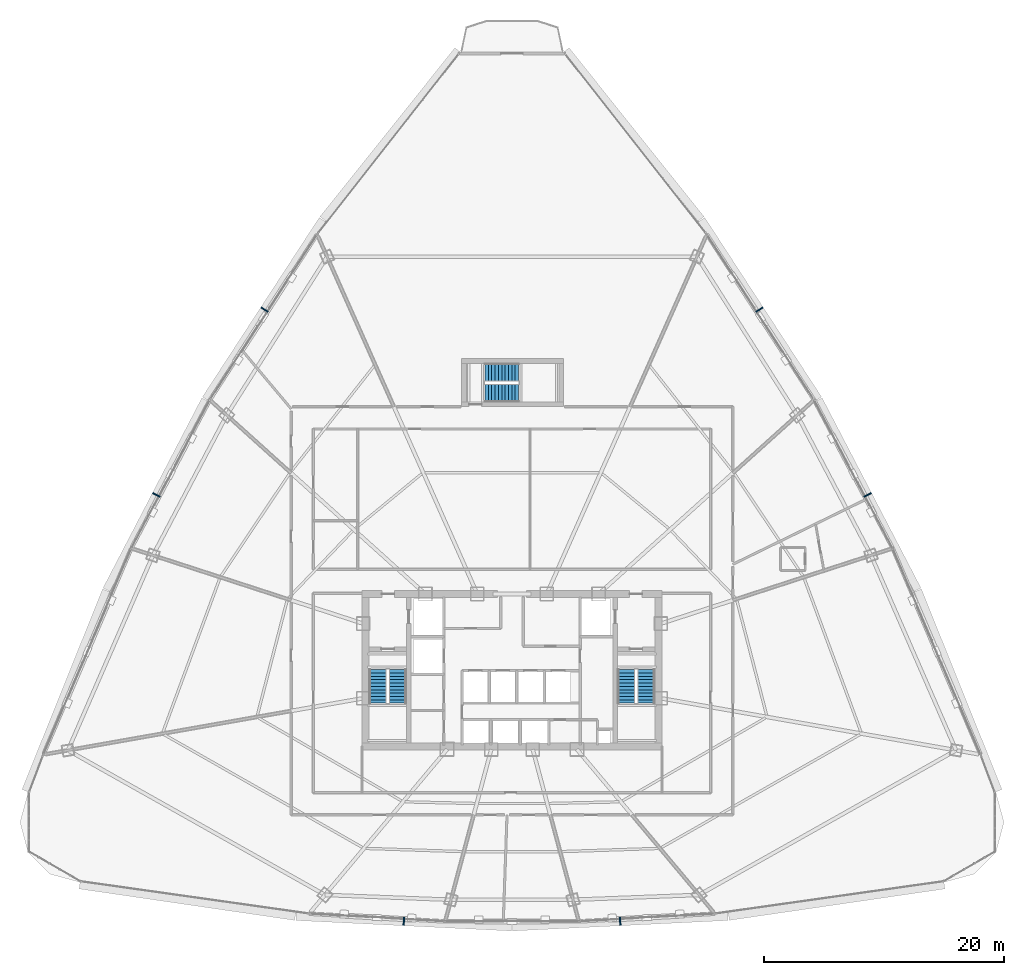
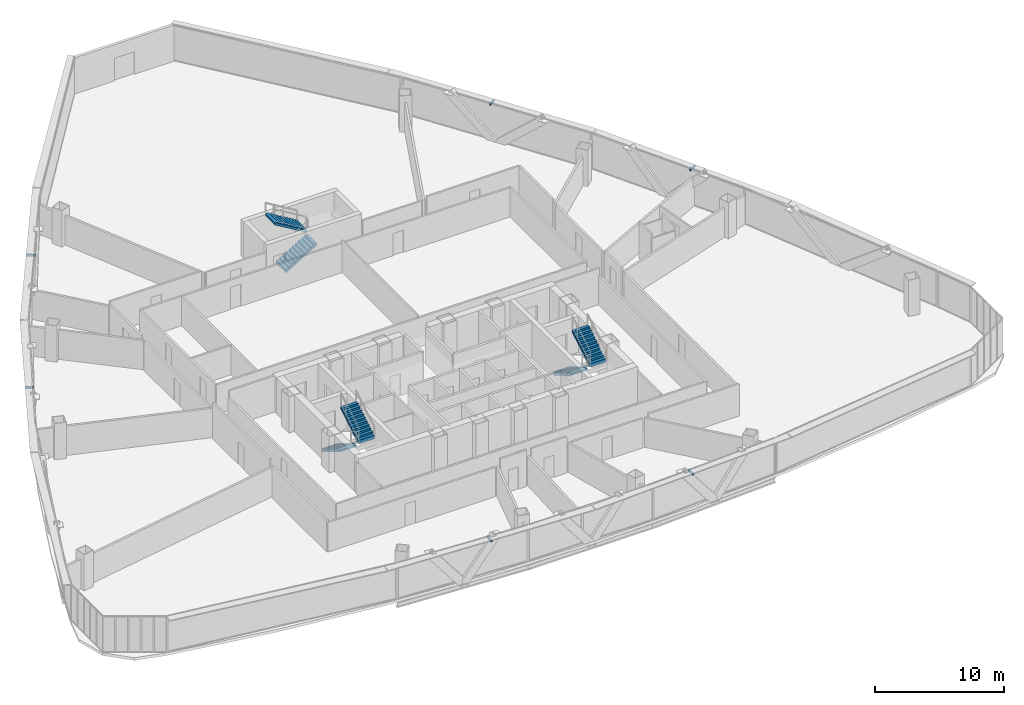
# One storey, part 38 of 42: 6 discrete accessories, 6 stair flights, 3 elements without a shape of their own.
"""IFC4 building model written with IfcOpenShell, lengths in metres."""

from ifc_helpers import new_model, si_unit, direction, frame, origin, origin_2d, place, context, subcontext, project, spatial, polyline, rectangle, outline, extrude, source, transform, mapped, material, type_object, element, aggregate, save


model = new_model("IFC4")

# Units and contexts
model_context = context("Model", 3, precision=1e-05, world=origin(), true_north=direction((0.0, 1.0)))
body_context = subcontext(model_context, "Body", "Model", "MODEL_VIEW")
ifc_project = project(units=[si_unit("LENGTHUNIT", "METRE"), si_unit("AREAUNIT", "SQUARE_METRE"), si_unit("VOLUMEUNIT", "CUBIC_METRE"), si_unit("PLANEANGLEUNIT", "RADIAN"), si_unit("MASSUNIT", "GRAM", prefix="KILO"), si_unit("THERMODYNAMICTEMPERATUREUNIT", "KELVIN"), si_unit("POWERUNIT", "WATT")], contexts=[model_context])

# Site, building, storey
site_placement = place(None, origin())
site = spatial("IfcSite", under=ifc_project, at=site_placement, CompositionType="ELEMENT")
building_placement = place(site_placement, origin())
building = spatial("IfcBuilding", under=site, at=building_placement, Name="Yunzhuo Pagoda Commons", CompositionType="ELEMENT")
storey_placement = place(building_placement, frame((0.0, 0.0, 137.18994140625)))
storey = spatial("IfcBuildingStorey", under=building, at=storey_placement, Name="L34", CompositionType="ELEMENT", Elevation=137.18994140625)

# Stair, stair flights
ifc_material_1 = material(Name="Concrete C40", Category="concrete")
stair_type_1 = type_object("IfcStairType", Name="ST-C1 Core Smokeproof Stair ST1", PredefinedType="HALF_TURN_STAIR", material=ifc_material_1)
stair_1_placement = place(storey_placement, origin())
stair_1 = element("IfcStair", 1, at=stair_1_placement, inside=storey, type_object=stair_type_1, Name="L34 Core smokeproof stair ST1", PredefinedType="HALF_TURN_STAIR")
stair_flight_type_1 = type_object("IfcStairFlightType", Name="STF-C1 Core Stair Flight 1450", PredefinedType="STRAIGHT", material=ifc_material_1)
shared_shape_1 = source(origin(), body_context, "Body", "SweptSolid", [
    extrude(outline(polyline([(0.0, -0.14990234375), (0.0, 0.0), (0.0, 0.167236328125), (0.280029296875, 0.167236328125), (0.280029296875, 0.33447265625), (0.56005859375, 0.33447265625), (0.56005859375, 0.501708984375), (0.840087890625, 0.501708984375), (0.840087890625, 0.669189453125), (1.1201171875, 0.669189453125), (1.1201171875, 0.83642578125), (1.39990234375, 0.83642578125), (1.39990234375, 1.003662109375), (1.679931640625, 1.003662109375), (1.679931640625, 1.1708984375), (1.9599609375, 1.1708984375), (1.9599609375, 1.338134765625), (2.239990234375, 1.338134765625), (2.239990234375, 1.50537109375), (2.52001953125, 1.50537109375), (2.52001953125, 1.672607421875), (2.800048828125, 1.672607421875), (2.800048828125, 1.840087890625), (2.800048828125, 1.498046875), (0.292236328125, 0.0), (0.050048828125, -0.14990234375), (0.0, -0.14990234375)])), frame((0.0, 0.72509765625, 0.0), z_axis=(0.0, -1.0, 0.0), x_axis=(1.0, 0.0, 0.0)), (0.0, 0.0, 1.0), 1.449951171875),
])
stair_flight_1_placement = place(storey_placement, frame((36.824951171875, 33.89990234375, 0.0), z_axis=(0.0, 0.0, 1.0), x_axis=(0.0, -1.0, 0.0)))
stair_flight_1 = element("IfcStairFlight", 2, at=stair_flight_1_placement, type_object=stair_flight_type_1, Name="ST1 flight 1", NumberOfRisers=11, NumberOfTreads=10, PredefinedType="STRAIGHT", RiserHeight=0.167272727, TreadLength=0.28, context=body_context, shape_type="MappedRepresentation", body=[
    mapped(shared_shape_1, transform((0.0, 0.0, 0.0), scale=1.0)),
])
stair_flight_2_placement = place(storey_placement, frame((38.47509765625, 31.10009765625, 1.840087890625), z_axis=(0.0, 0.0, 1.0), x_axis=(0.0, 1.0, 0.0)))
stair_flight_2 = element("IfcStairFlight", 3, at=stair_flight_2_placement, type_object=stair_flight_type_1, Name="ST1 flight 2", NumberOfRisers=11, NumberOfTreads=10, PredefinedType="STRAIGHT", RiserHeight=0.167272727, TreadLength=0.28, context=body_context, shape_type="MappedRepresentation", body=[
    mapped(shared_shape_1, transform((0.0, 0.0, 0.0), scale=1.0)),
])
aggregate(stair_1, [stair_flight_1, stair_flight_2])

stair_type_2 = type_object("IfcStairType", Name="ST-C2 Core Smokeproof Stair ST2", PredefinedType="HALF_TURN_STAIR", material=ifc_material_1)
stair_2_placement = place(storey_placement, origin())
stair_2 = element("IfcStair", 4, at=stair_2_placement, inside=storey, type_object=stair_type_2, Name="L34 Core smokeproof stair ST2", PredefinedType="HALF_TURN_STAIR")
stair_flight_type_2 = type_object("IfcStairFlightType", Name="STF-C2 Core Stair Flight 1460", PredefinedType="STRAIGHT", material=ifc_material_1)
stair_flight_3_placement = place(storey_placement, frame((57.52490234375, 33.89990234375, 0.0), z_axis=(0.0, 0.0, 1.0), x_axis=(0.0, -1.0, 0.0)))
stair_flight_3 = element("IfcStairFlight", 5, at=stair_flight_3_placement, type_object=stair_flight_type_2, Name="ST2 flight 1", NumberOfRisers=11, NumberOfTreads=10, PredefinedType="STRAIGHT", RiserHeight=0.167272727, TreadLength=0.28, context=body_context, shape_type="MappedRepresentation", body=[
    mapped(shared_shape_1, transform((0.0, 0.0, 0.0), scale=1.0)),
])
stair_flight_4_placement = place(storey_placement, frame((59.175048828125, 31.10009765625, 1.840087890625), z_axis=(0.0, 0.0, 1.0), x_axis=(0.0, 1.0, 0.0)))
stair_flight_4 = element("IfcStairFlight", 6, at=stair_flight_4_placement, type_object=stair_flight_type_2, Name="ST2 flight 2", NumberOfRisers=11, NumberOfTreads=10, PredefinedType="STRAIGHT", RiserHeight=0.167272727, TreadLength=0.28, context=body_context, shape_type="MappedRepresentation", body=[
    mapped(shared_shape_1, transform((0.0, 0.0, 0.0), scale=1.0)),
])
aggregate(stair_2, [stair_flight_3, stair_flight_4])

stair_type_3 = type_object("IfcStairType", Name="ST-C3 North Tower Smokeproof Stair ST3", PredefinedType="HALF_TURN_STAIR", material=ifc_material_1)
stair_3_placement = place(storey_placement, origin())
stair_3 = element("IfcStair", 7, at=stair_3_placement, inside=storey, type_object=stair_type_3, Name="L34 North tower smokeproof stair ST3", PredefinedType="HALF_TURN_STAIR")
stair_flight_type_3 = type_object("IfcStairFlightType", Name="STF-C3 North Stair Flight 1500", PredefinedType="STRAIGHT", material=ifc_material_1)
shared_shape_2 = source(origin(), body_context, "Body", "SweptSolid", [
    extrude(outline(polyline([(0.0, -0.14990234375), (0.0, 0.0), (0.0, 0.167236328125), (0.280029296875, 0.167236328125), (0.280029296875, 0.33447265625), (0.56005859375, 0.33447265625), (0.56005859375, 0.501708984375), (0.840087890625, 0.501708984375), (0.840087890625, 0.669189453125), (1.1201171875, 0.669189453125), (1.1201171875, 0.83642578125), (1.39990234375, 0.83642578125), (1.39990234375, 1.003662109375), (1.679931640625, 1.003662109375), (1.679931640625, 1.1708984375), (1.9599609375, 1.1708984375), (1.9599609375, 1.338134765625), (2.239990234375, 1.338134765625), (2.239990234375, 1.50537109375), (2.52001953125, 1.50537109375), (2.52001953125, 1.672607421875), (2.800048828125, 1.672607421875), (2.800048828125, 1.840087890625), (2.800048828125, 1.498046875), (0.292236328125, 0.0), (0.050048828125, -0.14990234375), (0.0, -0.14990234375)])), frame((0.0, 0.75, 0.0), z_axis=(0.0, -1.0, 0.0), x_axis=(1.0, 0.0, 0.0)), (0.0, 0.0, 1.0), 1.5),
])
stair_flight_5_placement = place(storey_placement, frame((45.75, 56.949951171875, 0.0), z_axis=(0.0, 0.0, 1.0), x_axis=(1.0, 0.0, 0.0)))
stair_flight_5 = element("IfcStairFlight", 8, at=stair_flight_5_placement, type_object=stair_flight_type_3, Name="ST3 flight 1", NumberOfRisers=11, NumberOfTreads=10, PredefinedType="STRAIGHT", RiserHeight=0.167272727, TreadLength=0.28, context=body_context, shape_type="MappedRepresentation", body=[
    mapped(shared_shape_2, transform((0.0, 0.0, 0.0), scale=1.0)),
])
stair_flight_6_placement = place(storey_placement, frame((48.550048828125, 58.64990234375, 1.840087890625), z_axis=(0.0, 0.0, 1.0), x_axis=(-1.0, 0.0, 0.0)))
stair_flight_6 = element("IfcStairFlight", 9, at=stair_flight_6_placement, type_object=stair_flight_type_3, Name="ST3 flight 2", NumberOfRisers=11, NumberOfTreads=10, PredefinedType="STRAIGHT", RiserHeight=0.167272727, TreadLength=0.28, context=body_context, shape_type="MappedRepresentation", body=[
    mapped(shared_shape_2, transform((0.0, 0.0, 0.0), scale=1.0)),
])
aggregate(stair_3, [stair_flight_5, stair_flight_6])

# Discrete accessories
ifc_material_2 = material(Name="Anodized aluminium 6063-T6", Category="aluminium")
discrete_accessory_type = type_object("IfcDiscreteAccessoryType", Name="BK-SUN1 Sunshade Outrigger Bracket", PredefinedType="BRACKET", material=ifc_material_2)
shared_shape_3 = source(origin(), body_context, "Body", "SweptSolid", [
    extrude(rectangle(XDim=0.1201171875, YDim=0.679931640625, at=origin_2d()), origin(), (0.0, 0.0, 1.0), 0.179931640625),
])
for number, where, z_axis, x_axis, name in (
    (10, (38.9873046875, 12.923095703125, 3.2099609375), (0.0, 0.0, 1.0), (0.998818043775, -0.04860571396, 0.0), "L34 sunshade outrigger bracket F1.2"),
    (11, (57.0126953125, 12.923095703125, 3.2099609375), (0.0, 0.0, 1.0), (0.998818043775, 0.04860571396, 0.0), "L34 sunshade outrigger bracket F1.3"),
    (12, (77.634765625, 48.453857421875, 3.2099609375), (0.0, 0.0, 1.0), (-0.461206683033, 0.88729273384, 0.0), "L34 sunshade outrigger bracket F2.2"),
    (13, (68.621826171875, 63.89404296875, 3.2099609375), (0.0, 0.0, 1.0), (-0.545838756973, 0.837890238269, 0.0), "L34 sunshade outrigger bracket F2.3"),
    (14, (27.378173828125, 63.89404296875, 3.2099609375), (0.0, 0.0, 1.0), (-0.545838756973, -0.837890238269, 0.0), "L34 sunshade outrigger bracket F3.2"),
    (15, (18.365234375, 48.453857421875, 3.2099609375), (0.0, 0.0, 1.0), (-0.461206683033, -0.88729273384, 0.0), "L34 sunshade outrigger bracket F3.3"),
):
    element("IfcDiscreteAccessory", number, at=place(storey_placement, frame(where, z_axis=z_axis, x_axis=x_axis)), inside=storey, type_object=discrete_accessory_type, Name=name, PredefinedType="BRACKET", context=body_context, shape_type="MappedRepresentation", body=[
        mapped(shared_shape_3, transform((0.0, 0.0, 0.0), scale=1.0)),
    ])

save(model, "model.ifc")
